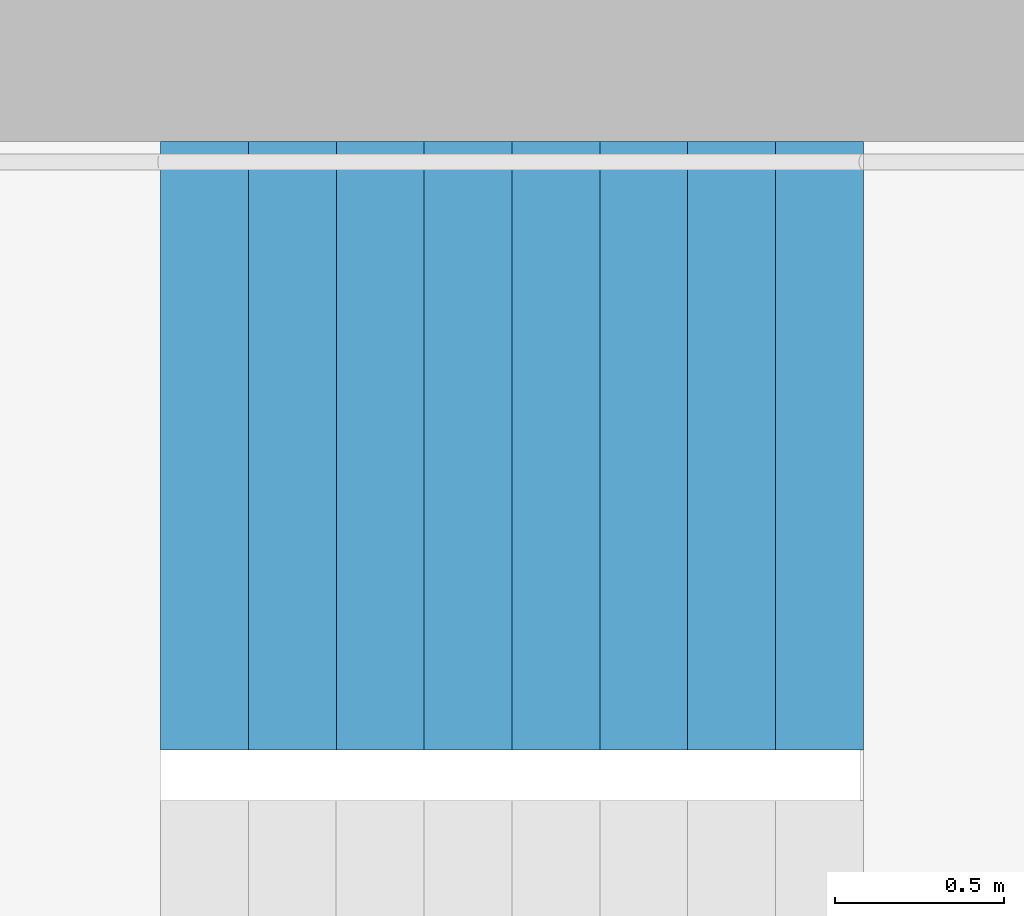
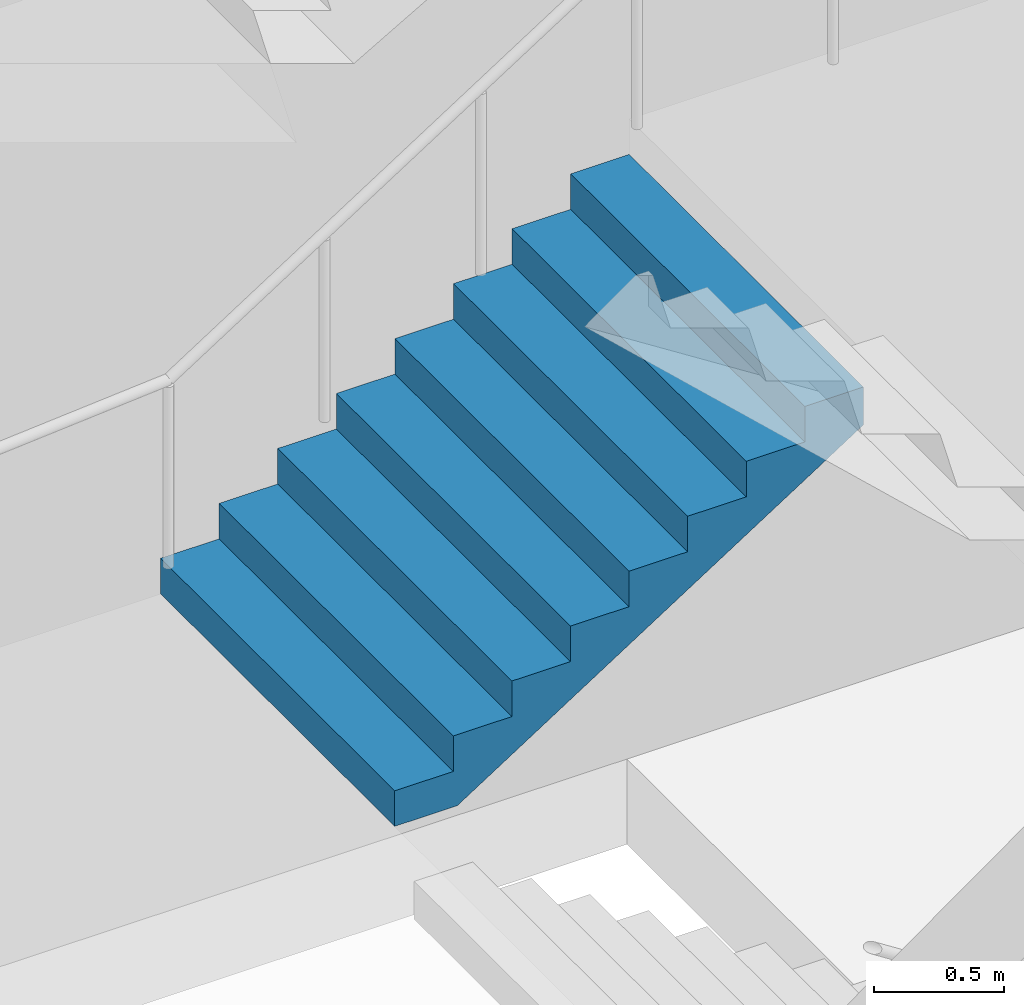
# One storey, part 68 of 100: 1 stair flight, 1 element without a shape of its own.
"""IFC4 building model written with IfcOpenShell, lengths in metres."""

from ifc_helpers import new_model, si_unit, direction, frame, origin, place, context, subcontext, project, spatial, triangles, material, type_object, element, aggregate, save


model = new_model("IFC4")

# Units and contexts
model_context = context("Model", 3, precision=1e-05, world=origin(), true_north=direction((0.0, 1.0)))
body_context = subcontext(model_context, "Body", "Model", "MODEL_VIEW")
ifc_project = project(units=[si_unit("LENGTHUNIT", "METRE"), si_unit("AREAUNIT", "SQUARE_METRE"), si_unit("VOLUMEUNIT", "CUBIC_METRE"), si_unit("PLANEANGLEUNIT", "RADIAN"), si_unit("MASSUNIT", "GRAM", prefix="KILO")], contexts=[model_context])

# Site, building, storey
site_placement = place(None, origin())
site = spatial("IfcSite", under=ifc_project, at=site_placement, CompositionType="ELEMENT")
building_placement = place(site_placement, origin())
building = spatial("IfcBuilding", under=site, at=building_placement, Name="Hakoniwa Tower and Hamabe Station Hall", CompositionType="ELEMENT")
storey_placement = place(building_placement, frame((0.0, 0.0, 9.0)))
storey = spatial("IfcBuildingStorey", under=building, at=storey_placement, Name="L02", CompositionType="ELEMENT", Elevation=9.0)

# Stair, stair flight
ifc_material_1 = material(Name="Concrete C40", Category="concrete")
stair_type = type_object("IfcStairType", Name="ESCAPE STAIR 1800", PredefinedType="HALF_TURN_STAIR", material=ifc_material_1)
stair_placement = place(storey_placement, origin())
stair = element("IfcStair", 1, at=stair_placement, inside=storey, type_object=stair_type, Name="Escape stair ST-3 L02", PredefinedType="HALF_TURN_STAIR")
ifc_material_2 = material(Name="Concrete C40", Category="concrete")
stair_flight_type = type_object("IfcStairFlightType", Name="STAIR FLIGHT 1800", PredefinedType="STRAIGHT", material=ifc_material_2)
stair_flight_placement = place(storey_placement, frame((22.320068359375, 6.60009765625, 1.5), z_axis=(0.0, 0.0, 1.0), x_axis=(1.0, 0.0, 0.0)))
stair_flight = element("IfcStairFlight", 2, at=stair_flight_placement, type_object=stair_flight_type, Name="ST-3 flight 2", NumberOfRisers=9, NumberOfTreads=8, PredefinedType="STRAIGHT", RiserHeight=0.166666667, TreadLength=0.26, context=body_context, shape_type="Tessellation", body=[
    triangles([(0.0, 0.89990234375, 0.0), (0.260009765625, 0.89990234375, 0.0), (0.27783203125, 0.89990234375, 0.0), (0.52001953125, 0.89990234375, 0.1552734375), (0.780029296875, 0.89990234375, 0.322021484375), (1.0400390625, 0.89990234375, 0.488525390625), (1.300048828125, 0.89990234375, 0.6552734375), (1.56005859375, 0.89990234375, 0.822021484375), (1.820068359375, 0.89990234375, 0.988525390625), (2.080078125, 0.89990234375, 1.1552734375), (2.080078125, 0.89990234375, 1.333251953125), (1.820068359375, 0.89990234375, 1.333251953125), (1.820068359375, 0.89990234375, 1.166748046875), (1.56005859375, 0.89990234375, 1.166748046875), (1.56005859375, 0.89990234375, 1.0), (1.300048828125, 0.89990234375, 1.0), (1.300048828125, 0.89990234375, 0.833251953125), (1.0400390625, 0.89990234375, 0.833251953125), (1.0400390625, 0.89990234375, 0.666748046875), (0.780029296875, 0.89990234375, 0.666748046875), (0.780029296875, 0.89990234375, 0.5), (0.52001953125, 0.89990234375, 0.5), (0.52001953125, 0.89990234375, 0.333251953125), (0.27783203125, 0.89990234375, 0.333251953125), (0.260009765625, 0.89990234375, 0.333251953125), (0.260009765625, 0.89990234375, 0.166748046875), (0.0, 0.89990234375, 0.166748046875), (0.0, 0.06005859375, 0.0), (0.260009765625, 0.06005859375, 0.0), (0.27783203125, 0.06005859375, 0.0), (0.52001953125, 0.06005859375, 0.1552734375), (0.780029296875, 0.06005859375, 0.322021484375), (1.0400390625, 0.06005859375, 0.488525390625), (1.300048828125, 0.06005859375, 0.6552734375), (1.56005859375, 0.06005859375, 0.822021484375), (1.820068359375, 0.06005859375, 0.988525390625), (2.080078125, 0.06005859375, 1.1552734375), (2.080078125, 0.06005859375, 1.333251953125), (1.820068359375, 0.06005859375, 1.333251953125), (1.820068359375, 0.06005859375, 1.166748046875), (1.56005859375, 0.06005859375, 1.166748046875), (1.56005859375, 0.06005859375, 1.0), (1.300048828125, 0.06005859375, 1.0), (1.300048828125, 0.06005859375, 0.833251953125), (1.0400390625, 0.06005859375, 0.833251953125), (1.0400390625, 0.06005859375, 0.666748046875), (0.780029296875, 0.06005859375, 0.666748046875), (0.780029296875, 0.06005859375, 0.5), (0.52001953125, 0.06005859375, 0.5), (0.52001953125, 0.06005859375, 0.333251953125), (0.27783203125, 0.06005859375, 0.333251953125), (0.260009765625, 0.06005859375, 0.333251953125), (0.260009765625, 0.06005859375, 0.166748046875), (0.0, 0.06005859375, 0.166748046875), (0.0, 0.04296875, 0.0), (0.260009765625, 0.04296875, 0.0), (0.27783203125, 0.04296875, 0.0), (0.52001953125, 0.04296875, 0.1552734375), (0.780029296875, 0.04296875, 0.322021484375), (1.0400390625, 0.04296875, 0.488525390625), (1.300048828125, 0.04296875, 0.6552734375), (1.56005859375, 0.04296875, 0.822021484375), (1.820068359375, 0.04296875, 0.988525390625), (2.080078125, 0.04296875, 1.1552734375), (2.080078125, 0.04296875, 1.333251953125), (1.820068359375, 0.04296875, 1.333251953125), (1.820068359375, 0.04296875, 1.166748046875), (1.56005859375, 0.04296875, 1.166748046875), (1.56005859375, 0.04296875, 1.0), (1.300048828125, 0.04296875, 1.0), (1.300048828125, 0.04296875, 0.833251953125), (1.0400390625, 0.04296875, 0.833251953125), (1.0400390625, 0.04296875, 0.666748046875), (0.780029296875, 0.04296875, 0.666748046875), (0.780029296875, 0.04296875, 0.5), (0.52001953125, 0.04296875, 0.5), (0.52001953125, 0.04296875, 0.333251953125), (0.27783203125, 0.04296875, 0.333251953125), (0.260009765625, 0.04296875, 0.333251953125), (0.260009765625, 0.04296875, 0.166748046875), (0.0, 0.04296875, 0.166748046875), (0.0, 0.025634765625, 0.0), (0.260009765625, 0.025634765625, 0.0), (0.27783203125, 0.025634765625, 0.0), (0.52001953125, 0.025634765625, 0.1552734375), (0.780029296875, 0.025634765625, 0.322021484375), (1.0400390625, 0.025634765625, 0.488525390625), (1.300048828125, 0.025634765625, 0.6552734375), (1.56005859375, 0.025634765625, 0.822021484375), (1.820068359375, 0.025634765625, 0.988525390625), (2.080078125, 0.025634765625, 1.1552734375), (2.080078125, 0.025634765625, 1.333251953125), (1.820068359375, 0.025634765625, 1.333251953125), (1.820068359375, 0.025634765625, 1.166748046875), (1.56005859375, 0.025634765625, 1.166748046875), (1.56005859375, 0.025634765625, 1.0), (1.300048828125, 0.025634765625, 1.0), (1.300048828125, 0.025634765625, 0.833251953125), (1.0400390625, 0.025634765625, 0.833251953125), (1.0400390625, 0.025634765625, 0.666748046875), (0.780029296875, 0.025634765625, 0.666748046875), (0.780029296875, 0.025634765625, 0.5), (0.52001953125, 0.025634765625, 0.5), (0.52001953125, 0.025634765625, 0.333251953125), (0.27783203125, 0.025634765625, 0.333251953125), (0.260009765625, 0.025634765625, 0.333251953125), (0.260009765625, 0.025634765625, 0.166748046875), (0.0, 0.025634765625, 0.166748046875), (0.0, 0.008544921875, 0.0), (0.260009765625, 0.008544921875, 0.0), (0.27783203125, 0.008544921875, 0.0), (0.52001953125, 0.008544921875, 0.1552734375), (0.780029296875, 0.008544921875, 0.322021484375), (1.0400390625, 0.008544921875, 0.488525390625), (1.300048828125, 0.008544921875, 0.6552734375), (1.56005859375, 0.008544921875, 0.822021484375), (1.820068359375, 0.008544921875, 0.988525390625), (2.080078125, 0.008544921875, 1.1552734375), (2.080078125, 0.008544921875, 1.333251953125), (1.820068359375, 0.008544921875, 1.333251953125), (1.820068359375, 0.008544921875, 1.166748046875), (1.56005859375, 0.008544921875, 1.166748046875), (1.56005859375, 0.008544921875, 1.0), (1.300048828125, 0.008544921875, 1.0), (1.300048828125, 0.008544921875, 0.833251953125), (1.0400390625, 0.008544921875, 0.833251953125), (1.0400390625, 0.008544921875, 0.666748046875), (0.780029296875, 0.008544921875, 0.666748046875), (0.780029296875, 0.008544921875, 0.5), (0.52001953125, 0.008544921875, 0.5), (0.52001953125, 0.008544921875, 0.333251953125), (0.27783203125, 0.008544921875, 0.333251953125), (0.260009765625, 0.008544921875, 0.333251953125), (0.260009765625, 0.008544921875, 0.166748046875), (0.0, 0.008544921875, 0.166748046875), (0.0, -0.008544921875, 0.0), (0.260009765625, -0.008544921875, 0.0), (0.27783203125, -0.008544921875, 0.0), (0.52001953125, -0.008544921875, 0.1552734375), (0.780029296875, -0.008544921875, 0.322021484375), (1.0400390625, -0.008544921875, 0.488525390625), (1.300048828125, -0.008544921875, 0.6552734375), (1.56005859375, -0.008544921875, 0.822021484375), (1.820068359375, -0.008544921875, 0.988525390625), (2.080078125, -0.008544921875, 1.1552734375), (2.080078125, -0.008544921875, 1.333251953125), (1.820068359375, -0.008544921875, 1.333251953125), (1.820068359375, -0.008544921875, 1.166748046875), (1.56005859375, -0.008544921875, 1.166748046875), (1.56005859375, -0.008544921875, 1.0), (1.300048828125, -0.008544921875, 1.0), (1.300048828125, -0.008544921875, 0.833251953125), (1.0400390625, -0.008544921875, 0.833251953125), (1.0400390625, -0.008544921875, 0.666748046875), (0.780029296875, -0.008544921875, 0.666748046875), (0.780029296875, -0.008544921875, 0.5), (0.52001953125, -0.008544921875, 0.5), (0.52001953125, -0.008544921875, 0.333251953125), (0.27783203125, -0.008544921875, 0.333251953125), (0.260009765625, -0.008544921875, 0.333251953125), (0.260009765625, -0.008544921875, 0.166748046875), (0.0, -0.008544921875, 0.166748046875), (0.0, -0.025634765625, 0.0), (0.260009765625, -0.025634765625, 0.0), (0.27783203125, -0.025634765625, 0.0), (0.52001953125, -0.025634765625, 0.1552734375), (0.780029296875, -0.025634765625, 0.322021484375), (1.0400390625, -0.025634765625, 0.488525390625), (1.300048828125, -0.025634765625, 0.6552734375), (1.56005859375, -0.025634765625, 0.822021484375), (1.820068359375, -0.025634765625, 0.988525390625), (2.080078125, -0.025634765625, 1.1552734375), (2.080078125, -0.025634765625, 1.333251953125), (1.820068359375, -0.025634765625, 1.333251953125), (1.820068359375, -0.025634765625, 1.166748046875), (1.56005859375, -0.025634765625, 1.166748046875), (1.56005859375, -0.025634765625, 1.0), (1.300048828125, -0.025634765625, 1.0), (1.300048828125, -0.025634765625, 0.833251953125), (1.0400390625, -0.025634765625, 0.833251953125), (1.0400390625, -0.025634765625, 0.666748046875), (0.780029296875, -0.025634765625, 0.666748046875), (0.780029296875, -0.025634765625, 0.5), (0.52001953125, -0.025634765625, 0.5), (0.52001953125, -0.025634765625, 0.333251953125), (0.27783203125, -0.025634765625, 0.333251953125), (0.260009765625, -0.025634765625, 0.333251953125), (0.260009765625, -0.025634765625, 0.166748046875), (0.0, -0.025634765625, 0.166748046875), (0.0, -0.04296875, 0.0), (0.260009765625, -0.04296875, 0.0), (0.27783203125, -0.04296875, 0.0), (0.52001953125, -0.04296875, 0.1552734375), (0.780029296875, -0.04296875, 0.322021484375), (1.0400390625, -0.04296875, 0.488525390625), (1.300048828125, -0.04296875, 0.6552734375), (1.56005859375, -0.04296875, 0.822021484375), (1.820068359375, -0.04296875, 0.988525390625), (2.080078125, -0.04296875, 1.1552734375), (2.080078125, -0.04296875, 1.333251953125), (1.820068359375, -0.04296875, 1.333251953125), (1.820068359375, -0.04296875, 1.166748046875), (1.56005859375, -0.04296875, 1.166748046875), (1.56005859375, -0.04296875, 1.0), (1.300048828125, -0.04296875, 1.0), (1.300048828125, -0.04296875, 0.833251953125), (1.0400390625, -0.04296875, 0.833251953125), (1.0400390625, -0.04296875, 0.666748046875), (0.780029296875, -0.04296875, 0.666748046875), (0.780029296875, -0.04296875, 0.5), (0.52001953125, -0.04296875, 0.5), (0.52001953125, -0.04296875, 0.333251953125), (0.27783203125, -0.04296875, 0.333251953125), (0.260009765625, -0.04296875, 0.333251953125), (0.260009765625, -0.04296875, 0.166748046875), (0.0, -0.04296875, 0.166748046875), (0.0, -0.06005859375, 0.0), (0.260009765625, -0.06005859375, 0.0), (0.27783203125, -0.06005859375, 0.0), (0.52001953125, -0.06005859375, 0.1552734375), (0.780029296875, -0.06005859375, 0.322021484375), (1.0400390625, -0.06005859375, 0.488525390625), (1.300048828125, -0.06005859375, 0.6552734375), (1.56005859375, -0.06005859375, 0.822021484375), (1.820068359375, -0.06005859375, 0.988525390625), (2.080078125, -0.06005859375, 1.1552734375), (2.080078125, -0.06005859375, 1.333251953125), (1.820068359375, -0.06005859375, 1.333251953125), (1.820068359375, -0.06005859375, 1.166748046875), (1.56005859375, -0.06005859375, 1.166748046875), (1.56005859375, -0.06005859375, 1.0), (1.300048828125, -0.06005859375, 1.0), (1.300048828125, -0.06005859375, 0.833251953125), (1.0400390625, -0.06005859375, 0.833251953125), (1.0400390625, -0.06005859375, 0.666748046875), (0.780029296875, -0.06005859375, 0.666748046875), (0.780029296875, -0.06005859375, 0.5), (0.52001953125, -0.06005859375, 0.5), (0.52001953125, -0.06005859375, 0.333251953125), (0.27783203125, -0.06005859375, 0.333251953125), (0.260009765625, -0.06005859375, 0.333251953125), (0.260009765625, -0.06005859375, 0.166748046875), (0.0, -0.06005859375, 0.166748046875), (0.0, -0.89990234375, 0.0), (0.260009765625, -0.89990234375, 0.0), (0.27783203125, -0.89990234375, 0.0), (0.52001953125, -0.89990234375, 0.1552734375), (0.780029296875, -0.89990234375, 0.322021484375), (1.0400390625, -0.89990234375, 0.488525390625), (1.300048828125, -0.89990234375, 0.6552734375), (1.56005859375, -0.89990234375, 0.822021484375), (1.820068359375, -0.89990234375, 0.988525390625), (2.080078125, -0.89990234375, 1.1552734375), (2.080078125, -0.89990234375, 1.333251953125), (1.820068359375, -0.89990234375, 1.333251953125), (1.820068359375, -0.89990234375, 1.166748046875), (1.56005859375, -0.89990234375, 1.166748046875), (1.56005859375, -0.89990234375, 1.0), (1.300048828125, -0.89990234375, 1.0), (1.300048828125, -0.89990234375, 0.833251953125), (1.0400390625, -0.89990234375, 0.833251953125), (1.0400390625, -0.89990234375, 0.666748046875), (0.780029296875, -0.89990234375, 0.666748046875), (0.780029296875, -0.89990234375, 0.5), (0.52001953125, -0.89990234375, 0.5), (0.52001953125, -0.89990234375, 0.333251953125), (0.27783203125, -0.89990234375, 0.333251953125), (0.260009765625, -0.89990234375, 0.333251953125), (0.260009765625, -0.89990234375, 0.166748046875), (0.0, -0.89990234375, 0.166748046875)], [[2, 27, 26], [245, 269, 270], [2, 1, 27], [245, 270, 244], [3, 25, 24], [246, 267, 268], [3, 26, 25], [246, 268, 269], [3, 2, 26], [246, 269, 245], [4, 24, 23], [247, 266, 267], [4, 3, 24], [247, 267, 246], [5, 22, 21], [248, 264, 265], [5, 23, 22], [248, 265, 266], [5, 4, 23], [248, 266, 247], [6, 20, 19], [249, 262, 263], [6, 21, 20], [249, 263, 264], [6, 5, 21], [249, 264, 248], [7, 18, 17], [250, 260, 261], [7, 19, 18], [250, 261, 262], [7, 6, 19], [250, 262, 249], [8, 16, 15], [251, 258, 259], [8, 17, 16], [251, 259, 260], [8, 7, 17], [251, 260, 250], [9, 14, 13], [252, 256, 257], [9, 15, 14], [252, 257, 258], [9, 8, 15], [252, 258, 251], [10, 12, 11], [253, 254, 255], [10, 13, 12], [253, 255, 256], [10, 9, 13], [253, 256, 252], [1, 2, 29], [1, 29, 28], [28, 29, 56], [28, 56, 55], [55, 56, 83], [55, 83, 82], [82, 83, 110], [82, 110, 109], [109, 110, 137], [109, 137, 136], [136, 137, 164], [136, 164, 163], [163, 164, 191], [163, 191, 190], [190, 191, 218], [190, 218, 217], [217, 218, 245], [217, 245, 244], [2, 3, 30], [2, 30, 29], [29, 30, 57], [29, 57, 56], [56, 57, 84], [56, 84, 83], [83, 84, 111], [83, 111, 110], [110, 111, 138], [110, 138, 137], [137, 138, 165], [137, 165, 164], [164, 165, 192], [164, 192, 191], [191, 192, 219], [191, 219, 218], [218, 219, 246], [218, 246, 245], [3, 4, 31], [3, 31, 30], [30, 31, 58], [30, 58, 57], [57, 58, 85], [57, 85, 84], [84, 85, 112], [84, 112, 111], [111, 112, 139], [111, 139, 138], [138, 139, 166], [138, 166, 165], [165, 166, 193], [165, 193, 192], [192, 193, 220], [192, 220, 219], [219, 220, 247], [219, 247, 246], [4, 5, 32], [4, 32, 31], [31, 32, 59], [31, 59, 58], [58, 59, 86], [58, 86, 85], [85, 86, 113], [85, 113, 112], [112, 113, 140], [112, 140, 139], [139, 140, 167], [139, 167, 166], [166, 167, 194], [166, 194, 193], [193, 194, 221], [193, 221, 220], [220, 221, 248], [220, 248, 247], [5, 6, 33], [5, 33, 32], [32, 33, 60], [32, 60, 59], [59, 60, 87], [59, 87, 86], [86, 87, 114], [86, 114, 113], [113, 114, 141], [113, 141, 140], [140, 141, 168], [140, 168, 167], [167, 168, 195], [167, 195, 194], [194, 195, 222], [194, 222, 221], [221, 222, 249], [221, 249, 248], [6, 7, 34], [6, 34, 33], [33, 34, 61], [33, 61, 60], [60, 61, 88], [60, 88, 87], [87, 88, 115], [87, 115, 114], [114, 115, 142], [114, 142, 141], [141, 142, 169], [141, 169, 168], [168, 169, 196], [168, 196, 195], [195, 196, 223], [195, 223, 222], [222, 223, 250], [222, 250, 249], [7, 8, 35], [7, 35, 34], [34, 35, 62], [34, 62, 61], [61, 62, 89], [61, 89, 88], [88, 89, 116], [88, 116, 115], [115, 116, 143], [115, 143, 142], [142, 143, 170], [142, 170, 169], [169, 170, 197], [169, 197, 196], [196, 197, 224], [196, 224, 223], [223, 224, 251], [223, 251, 250], [8, 9, 36], [8, 36, 35], [35, 36, 63], [35, 63, 62], [62, 63, 90], [62, 90, 89], [89, 90, 117], [89, 117, 116], [116, 117, 144], [116, 144, 143], [143, 144, 171], [143, 171, 170], [170, 171, 198], [170, 198, 197], [197, 198, 225], [197, 225, 224], [224, 225, 252], [224, 252, 251], [9, 10, 37], [9, 37, 36], [36, 37, 64], [36, 64, 63], [63, 64, 91], [63, 91, 90], [90, 91, 118], [90, 118, 117], [117, 118, 145], [117, 145, 144], [144, 145, 172], [144, 172, 171], [171, 172, 199], [171, 199, 198], [198, 199, 226], [198, 226, 225], [225, 226, 253], [225, 253, 252], [10, 11, 38], [10, 38, 37], [37, 38, 65], [37, 65, 64], [64, 65, 92], [64, 92, 91], [91, 92, 119], [91, 119, 118], [118, 119, 146], [118, 146, 145], [145, 146, 173], [145, 173, 172], [172, 173, 200], [172, 200, 199], [199, 200, 227], [199, 227, 226], [226, 227, 254], [226, 254, 253], [11, 12, 39], [11, 39, 38], [38, 39, 66], [38, 66, 65], [65, 66, 93], [65, 93, 92], [92, 93, 120], [92, 120, 119], [119, 120, 147], [119, 147, 146], [146, 147, 174], [146, 174, 173], [173, 174, 201], [173, 201, 200], [200, 201, 228], [200, 228, 227], [227, 228, 255], [227, 255, 254], [12, 13, 40], [12, 40, 39], [39, 40, 67], [39, 67, 66], [66, 67, 94], [66, 94, 93], [93, 94, 121], [93, 121, 120], [120, 121, 148], [120, 148, 147], [147, 148, 175], [147, 175, 174], [174, 175, 202], [174, 202, 201], [201, 202, 229], [201, 229, 228], [228, 229, 256], [228, 256, 255], [13, 14, 41], [13, 41, 40], [40, 41, 68], [40, 68, 67], [67, 68, 95], [67, 95, 94], [94, 95, 122], [94, 122, 121], [121, 122, 149], [121, 149, 148], [148, 149, 176], [148, 176, 175], [175, 176, 203], [175, 203, 202], [202, 203, 230], [202, 230, 229], [229, 230, 257], [229, 257, 256], [14, 15, 42], [14, 42, 41], [41, 42, 69], [41, 69, 68], [68, 69, 96], [68, 96, 95], [95, 96, 123], [95, 123, 122], [122, 123, 150], [122, 150, 149], [149, 150, 177], [149, 177, 176], [176, 177, 204], [176, 204, 203], [203, 204, 231], [203, 231, 230], [230, 231, 258], [230, 258, 257], [15, 16, 43], [15, 43, 42], [42, 43, 70], [42, 70, 69], [69, 70, 97], [69, 97, 96], [96, 97, 124], [96, 124, 123], [123, 124, 151], [123, 151, 150], [150, 151, 178], [150, 178, 177], [177, 178, 205], [177, 205, 204], [204, 205, 232], [204, 232, 231], [231, 232, 259], [231, 259, 258], [16, 17, 44], [16, 44, 43], [43, 44, 71], [43, 71, 70], [70, 71, 98], [70, 98, 97], [97, 98, 125], [97, 125, 124], [124, 125, 152], [124, 152, 151], [151, 152, 179], [151, 179, 178], [178, 179, 206], [178, 206, 205], [205, 206, 233], [205, 233, 232], [232, 233, 260], [232, 260, 259], [17, 18, 45], [17, 45, 44], [44, 45, 72], [44, 72, 71], [71, 72, 99], [71, 99, 98], [98, 99, 126], [98, 126, 125], [125, 126, 153], [125, 153, 152], [152, 153, 180], [152, 180, 179], [179, 180, 207], [179, 207, 206], [206, 207, 234], [206, 234, 233], [233, 234, 261], [233, 261, 260], [18, 19, 46], [18, 46, 45], [45, 46, 73], [45, 73, 72], [72, 73, 100], [72, 100, 99], [99, 100, 127], [99, 127, 126], [126, 127, 154], [126, 154, 153], [153, 154, 181], [153, 181, 180], [180, 181, 208], [180, 208, 207], [207, 208, 235], [207, 235, 234], [234, 235, 262], [234, 262, 261], [19, 20, 47], [19, 47, 46], [46, 47, 74], [46, 74, 73], [73, 74, 101], [73, 101, 100], [100, 101, 128], [100, 128, 127], [127, 128, 155], [127, 155, 154], [154, 155, 182], [154, 182, 181], [181, 182, 209], [181, 209, 208], [208, 209, 236], [208, 236, 235], [235, 236, 263], [235, 263, 262], [20, 21, 48], [20, 48, 47], [47, 48, 75], [47, 75, 74], [74, 75, 102], [74, 102, 101], [101, 102, 129], [101, 129, 128], [128, 129, 156], [128, 156, 155], [155, 156, 183], [155, 183, 182], [182, 183, 210], [182, 210, 209], [209, 210, 237], [209, 237, 236], [236, 237, 264], [236, 264, 263], [21, 22, 49], [21, 49, 48], [48, 49, 76], [48, 76, 75], [75, 76, 103], [75, 103, 102], [102, 103, 130], [102, 130, 129], [129, 130, 157], [129, 157, 156], [156, 157, 184], [156, 184, 183], [183, 184, 211], [183, 211, 210], [210, 211, 238], [210, 238, 237], [237, 238, 265], [237, 265, 264], [22, 23, 50], [22, 50, 49], [49, 50, 77], [49, 77, 76], [76, 77, 104], [76, 104, 103], [103, 104, 131], [103, 131, 130], [130, 131, 158], [130, 158, 157], [157, 158, 185], [157, 185, 184], [184, 185, 212], [184, 212, 211], [211, 212, 239], [211, 239, 238], [238, 239, 266], [238, 266, 265], [23, 24, 51], [23, 51, 50], [50, 51, 78], [50, 78, 77], [77, 78, 105], [77, 105, 104], [104, 105, 132], [104, 132, 131], [131, 132, 159], [131, 159, 158], [158, 159, 186], [158, 186, 185], [185, 186, 213], [185, 213, 212], [212, 213, 240], [212, 240, 239], [239, 240, 267], [239, 267, 266], [24, 25, 52], [24, 52, 51], [51, 52, 79], [51, 79, 78], [78, 79, 106], [78, 106, 105], [105, 106, 133], [105, 133, 132], [132, 133, 160], [132, 160, 159], [159, 160, 187], [159, 187, 186], [186, 187, 214], [186, 214, 213], [213, 214, 241], [213, 241, 240], [240, 241, 268], [240, 268, 267], [25, 26, 53], [25, 53, 52], [52, 53, 80], [52, 80, 79], [79, 80, 107], [79, 107, 106], [106, 107, 134], [106, 134, 133], [133, 134, 161], [133, 161, 160], [160, 161, 188], [160, 188, 187], [187, 188, 215], [187, 215, 214], [214, 215, 242], [214, 242, 241], [241, 242, 269], [241, 269, 268], [26, 27, 54], [26, 54, 53], [53, 54, 81], [53, 81, 80], [80, 81, 108], [80, 108, 107], [107, 108, 135], [107, 135, 134], [134, 135, 162], [134, 162, 161], [161, 162, 189], [161, 189, 188], [188, 189, 216], [188, 216, 215], [215, 216, 243], [215, 243, 242], [242, 243, 270], [242, 270, 269], [27, 1, 28], [27, 28, 54], [54, 28, 55], [54, 55, 81], [81, 55, 82], [81, 82, 108], [108, 82, 109], [108, 109, 135], [135, 109, 136], [135, 136, 162], [162, 136, 163], [162, 163, 189], [189, 163, 190], [189, 190, 216], [216, 190, 217], [216, 217, 243], [243, 217, 244], [243, 244, 270]], closed=True),
])
aggregate(stair, [stair_flight])

save(model, "model.ifc")
